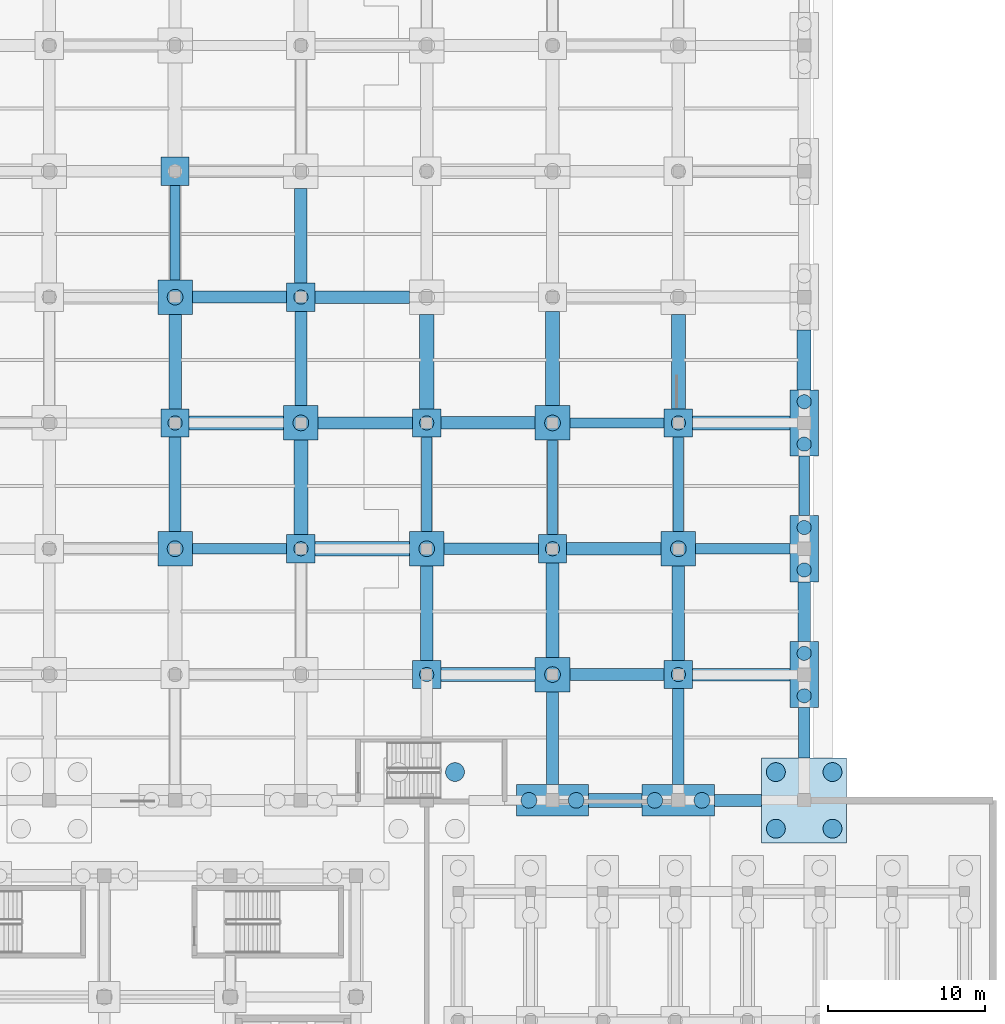
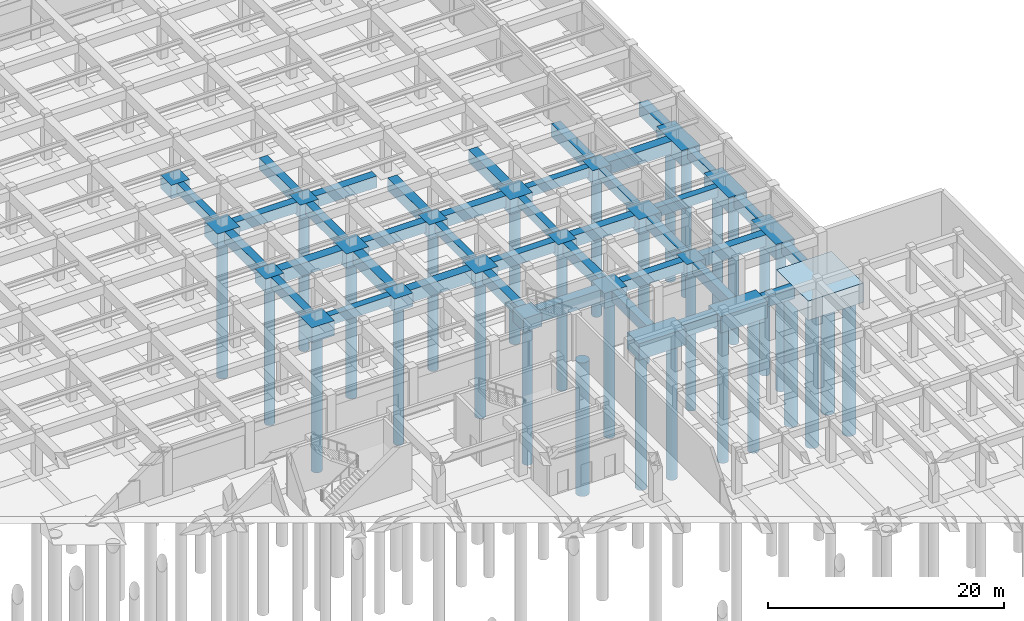
# One storey, part 14 of 48: 60 footings, 30 piles.
"""IFC4 building model written with IfcOpenShell, lengths in metres."""

from ifc_helpers import new_model, si_unit, direction, frame, origin, origin_2d, place, context, subcontext, project, spatial, polyline, rectangle, circle, outline, extrude, material, layer, layer_set, material_profile, profile_set, type_object, element, save


model = new_model("IFC4")

# Units and contexts
model_context = context("Model", 3, precision=1e-05, world=origin(), true_north=direction((0.0, 1.0)))
body_context = subcontext(model_context, "Body", "Model", "MODEL_VIEW")
ifc_project = project(units=[si_unit("LENGTHUNIT", "METRE"), si_unit("AREAUNIT", "SQUARE_METRE"), si_unit("VOLUMEUNIT", "CUBIC_METRE"), si_unit("PLANEANGLEUNIT", "RADIAN"), si_unit("MASSUNIT", "GRAM", prefix="KILO")], contexts=[model_context])

# Site, building, storey
site_placement = place(None, origin())
site = spatial("IfcSite", under=ifc_project, at=site_placement, CompositionType="ELEMENT")
building_placement = place(site_placement, origin())
building = spatial("IfcBuilding", under=site, at=building_placement, Name="Tlacozan Convention Centre", CompositionType="ELEMENT")
storey_placement = place(building_placement, frame((0.0, 0.0, -4.800048828125)))
storey = spatial("IfcBuildingStorey", under=building, at=storey_placement, Name="B01", CompositionType="ELEMENT", Elevation=-4.800048828125)

# Footings
ifc_material = material(Name="Concrete C35/45", Category="concrete")
ifc_layer_1 = layer(ifc_material, 1.0)
ifc_layer_set_1 = layer_set([ifc_layer_1], Name="Concrete C35/45")
footing_type_1 = type_object("IfcFootingType", Name="Foundation Tie Beam 650x1000", PredefinedType="FOOTING_BEAM", material=ifc_layer_set_1)
footing_1_placement = place(storey_placement, frame((0.0, 0.0, -1.0)))
element("IfcFooting", 1, at=footing_1_placement, inside=storey, type_object=footing_type_1, Name="Foundation Tie Beam X-185", PredefinedType="FOOTING_BEAM", context=body_context, shape_type="SweptSolid", body=[
    extrude(outline(polyline([(129.10009765625, 77.675048828125), (135.10009765625, 77.675048828125), (135.10009765625, 78.324951171875), (129.10009765625, 78.324951171875), (129.10009765625, 77.675048828125)])), origin(), (0.0, 0.0, 1.0), 1.0),
])
footing_2_placement = place(storey_placement, frame((0.0, 0.0, -1.0)))
element("IfcFooting", 2, at=footing_2_placement, inside=storey, type_object=footing_type_1, Name="Foundation Tie Beam X-189", PredefinedType="FOOTING_BEAM", context=body_context, shape_type="SweptSolid", body=[
    extrude(outline(polyline([(161.10009765625, 77.675048828125), (167.10009765625, 77.675048828125), (167.10009765625, 78.324951171875), (161.10009765625, 78.324951171875), (161.10009765625, 77.675048828125)])), origin(), (0.0, 0.0, 1.0), 1.0),
])
footing_3_placement = place(storey_placement, frame((0.0, 0.0, -1.0)))
element("IfcFooting", 3, at=footing_3_placement, inside=storey, type_object=footing_type_1, Name="Foundation Tie Beam X-209", PredefinedType="FOOTING_BEAM", context=body_context, shape_type="SweptSolid", body=[
    extrude(outline(polyline([(153.10009765625, 85.675048828125), (159.10009765625, 85.675048828125), (159.10009765625, 86.324951171875), (153.10009765625, 86.324951171875), (153.10009765625, 85.675048828125)])), origin(), (0.0, 0.0, 1.0), 1.0),
])
footing_4_placement = place(storey_placement, frame((0.0, 0.0, -1.0)))
element("IfcFooting", 4, at=footing_4_placement, inside=storey, type_object=footing_type_1, Name="Foundation Tie Beam Y-521", PredefinedType="FOOTING_BEAM", context=body_context, shape_type="SweptSolid", body=[
    extrude(outline(polyline([(127.675048828125, 95.10009765625), (128.324951171875, 95.10009765625), (128.324951171875, 101.10009765625), (127.675048828125, 101.10009765625), (127.675048828125, 95.10009765625)])), origin(), (0.0, 0.0, 1.0), 1.0),
])
footing_5_placement = place(storey_placement, frame((0.0, 0.0, -1.0)))
element("IfcFooting", 5, at=footing_5_placement, inside=storey, type_object=footing_type_1, Name="Foundation Tie Beam Y-541", PredefinedType="FOOTING_BEAM", context=body_context, shape_type="SweptSolid", body=[
    extrude(outline(polyline([(143.675048828125, 79.10009765625), (144.324951171875, 79.10009765625), (144.324951171875, 85.10009765625), (143.675048828125, 85.10009765625), (143.675048828125, 79.10009765625)])), origin(), (0.0, 0.0, 1.0), 1.0),
])
footing_6_placement = place(storey_placement, frame((0.0, 0.0, -1.0)))
element("IfcFooting", 6, at=footing_6_placement, inside=storey, type_object=footing_type_1, Name="Foundation Tie Beam Y-557", PredefinedType="FOOTING_BEAM", context=body_context, shape_type="SweptSolid", body=[
    extrude(outline(polyline([(151.675048828125, 78.89990234375), (152.324951171875, 78.89990234375), (152.324951171875, 84.89990234375), (151.675048828125, 84.89990234375), (151.675048828125, 78.89990234375)])), origin(), (0.0, 0.0, 1.0), 1.0),
])
footing_7_placement = place(storey_placement, frame((0.0, 0.0, -1.0)))
element("IfcFooting", 7, at=footing_7_placement, inside=storey, type_object=footing_type_1, Name="Foundation Tie Beam Y-573", PredefinedType="FOOTING_BEAM", context=body_context, shape_type="SweptSolid", body=[
    extrude(outline(polyline([(159.675048828125, 79.10009765625), (160.324951171875, 79.10009765625), (160.324951171875, 85.10009765625), (159.675048828125, 85.10009765625), (159.675048828125, 79.10009765625)])), origin(), (0.0, 0.0, 1.0), 1.0),
])
footing_8_placement = place(storey_placement, frame((0.0, 0.0, -1.0)))
element("IfcFooting", 8, at=footing_8_placement, inside=storey, type_object=footing_type_1, Name="Foundation Tie Beam Y-585", PredefinedType="FOOTING_BEAM", context=body_context, shape_type="SweptSolid", body=[
    extrude(outline(polyline([(167.675048828125, 80.10009765625), (168.324951171875, 80.10009765625), (168.324951171875, 83.89990234375), (167.675048828125, 83.89990234375), (167.675048828125, 80.10009765625)])), origin(), (0.0, 0.0, 1.0), 1.0),
])
ifc_layer_2 = layer(ifc_material, 1.10009765625)
ifc_layer_set_2 = layer_set([ifc_layer_2], Name="Concrete C35/45")
footing_type_2 = type_object("IfcFootingType", Name="Foundation Tie Beam 750x1100", PredefinedType="FOOTING_BEAM", material=ifc_layer_set_2)
footing_9_placement = place(storey_placement, frame((0.0, 0.0, -1.099853515625)))
element("IfcFooting", 9, at=footing_9_placement, inside=storey, type_object=footing_type_2, Name="Foundation Tie Beam X-147", PredefinedType="FOOTING_BEAM", context=body_context, shape_type="SweptSolid", body=[
    extrude(outline(polyline([(162.300048828125, 61.625), (165.300048828125, 61.625), (165.300048828125, 62.375), (162.300048828125, 62.375), (162.300048828125, 61.625)])), origin(), (0.0, 0.0, 1.0), 1.099853515625),
])
footing_10_placement = place(storey_placement, frame((0.0, 0.0, -1.099853515625)))
element("IfcFooting", 10, at=footing_10_placement, inside=storey, type_object=footing_type_2, Name="Foundation Tie Beam X-167", PredefinedType="FOOTING_BEAM", context=body_context, shape_type="SweptSolid", body=[
    extrude(outline(polyline([(153.10009765625, 69.625), (159.10009765625, 69.625), (159.10009765625, 70.375), (153.10009765625, 70.375), (153.10009765625, 69.625)])), origin(), (0.0, 0.0, 1.0), 1.099853515625),
])
footing_11_placement = place(storey_placement, frame((0.0, 0.0, -1.099853515625)))
element("IfcFooting", 11, at=footing_11_placement, inside=storey, type_object=footing_type_2, Name="Foundation Tie Beam X-187", PredefinedType="FOOTING_BEAM", context=body_context, shape_type="SweptSolid", body=[
    extrude(outline(polyline([(145.10009765625, 77.625), (151.10009765625, 77.625), (151.10009765625, 78.375), (145.10009765625, 78.375), (145.10009765625, 77.625)])), origin(), (0.0, 0.0, 1.0), 1.099853515625),
])
footing_12_placement = place(storey_placement, frame((0.0, 0.0, -1.099853515625)))
element("IfcFooting", 12, at=footing_12_placement, inside=storey, type_object=footing_type_2, Name="Foundation Tie Beam X-207", PredefinedType="FOOTING_BEAM", context=body_context, shape_type="SweptSolid", body=[
    extrude(outline(polyline([(137.10009765625, 85.625), (143.10009765625, 85.625), (143.10009765625, 86.375), (137.10009765625, 86.375), (137.10009765625, 85.625)])), origin(), (0.0, 0.0, 1.0), 1.099853515625),
])
footing_13_placement = place(storey_placement, frame((0.0, 0.0, -1.099853515625)))
element("IfcFooting", 13, at=footing_13_placement, inside=storey, type_object=footing_type_2, Name="Foundation Tie Beam X-227", PredefinedType="FOOTING_BEAM", context=body_context, shape_type="SweptSolid", body=[
    extrude(outline(polyline([(129.10009765625, 93.625), (135.10009765625, 93.625), (135.10009765625, 94.375), (129.10009765625, 94.375), (129.10009765625, 93.625)])), origin(), (0.0, 0.0, 1.0), 1.099853515625),
])
footing_14_placement = place(storey_placement, frame((0.0, 0.0, -1.099853515625)))
element("IfcFooting", 14, at=footing_14_placement, inside=storey, type_object=footing_type_2, Name="Foundation Tie Beam Y-519", PredefinedType="FOOTING_BEAM", context=body_context, shape_type="SweptSolid", body=[
    extrude(outline(polyline([(127.625, 79.10009765625), (128.375, 79.10009765625), (128.375, 85.10009765625), (127.625, 85.10009765625), (127.625, 79.10009765625)])), origin(), (0.0, 0.0, 1.0), 1.099853515625),
])
footing_15_placement = place(storey_placement, frame((0.0, 0.0, -1.099853515625)))
element("IfcFooting", 15, at=footing_15_placement, inside=storey, type_object=footing_type_2, Name="Foundation Tie Beam Y-531", PredefinedType="FOOTING_BEAM", context=body_context, shape_type="SweptSolid", body=[
    extrude(outline(polyline([(135.625, 87.10009765625), (136.375, 87.10009765625), (136.375, 93.10009765625), (135.625, 93.10009765625), (135.625, 87.10009765625)])), origin(), (0.0, 0.0, 1.0), 1.099853515625),
])
footing_16_placement = place(storey_placement, frame((0.0, 0.0, -1.099853515625)))
element("IfcFooting", 16, at=footing_16_placement, inside=storey, type_object=footing_type_2, Name="Foundation Tie Beam Y-555", PredefinedType="FOOTING_BEAM", context=body_context, shape_type="SweptSolid", body=[
    extrude(outline(polyline([(151.625, 63.0), (152.375, 63.0), (152.375, 68.89990234375), (151.625, 68.89990234375), (151.625, 63.0)])), origin(), (0.0, 0.0, 1.0), 1.099853515625),
])
footing_17_placement = place(storey_placement, frame((0.0, 0.0, -1.099853515625)))
element("IfcFooting", 17, at=footing_17_placement, inside=storey, type_object=footing_type_2, Name="Foundation Tie Beam Y-571", PredefinedType="FOOTING_BEAM", context=body_context, shape_type="SweptSolid", body=[
    extrude(outline(polyline([(159.625, 63.0), (160.375, 63.0), (160.375, 69.10009765625), (159.625, 69.10009765625), (159.625, 63.0)])), origin(), (0.0, 0.0, 1.0), 1.099853515625),
])
footing_18_placement = place(storey_placement, frame((0.0, 0.0, -1.099853515625)))
element("IfcFooting", 18, at=footing_18_placement, inside=storey, type_object=footing_type_2, Name="Foundation Tie Beam Y-583", PredefinedType="FOOTING_BEAM", context=body_context, shape_type="SweptSolid", body=[
    extrude(outline(polyline([(167.625, 64.699951171875), (168.375, 64.699951171875), (168.375, 67.89990234375), (167.625, 67.89990234375), (167.625, 64.699951171875)])), origin(), (0.0, 0.0, 1.0), 1.099853515625),
])
ifc_layer_3 = layer(ifc_material, 1.199951171875)
ifc_layer_set_3 = layer_set([ifc_layer_3], Name="Concrete C35/45")
footing_type_3 = type_object("IfcFootingType", Name="Foundation Tie Beam 800x1200", PredefinedType="FOOTING_BEAM", material=ifc_layer_set_3)
footing_19_placement = place(storey_placement, frame((0.0, 0.0, -1.199951171875)))
element("IfcFooting", 19, at=footing_19_placement, inside=storey, type_object=footing_type_3, Name="Foundation Tie Beam X-168", PredefinedType="FOOTING_BEAM", context=body_context, shape_type="SweptSolid", body=[
    extrude(outline(polyline([(160.89990234375, 69.60009765625), (167.10009765625, 69.60009765625), (167.10009765625, 70.39990234375), (160.89990234375, 70.39990234375), (160.89990234375, 69.60009765625)])), origin(), (0.0, 0.0, 1.0), 1.199951171875),
])
footing_20_placement = place(storey_placement, frame((0.0, 0.0, -1.199951171875)))
element("IfcFooting", 20, at=footing_20_placement, inside=storey, type_object=footing_type_3, Name="Foundation Tie Beam X-188", PredefinedType="FOOTING_BEAM", context=body_context, shape_type="SweptSolid", body=[
    extrude(outline(polyline([(152.89990234375, 77.60009765625), (158.89990234375, 77.60009765625), (158.89990234375, 78.39990234375), (152.89990234375, 78.39990234375), (152.89990234375, 77.60009765625)])), origin(), (0.0, 0.0, 1.0), 1.199951171875),
])
footing_21_placement = place(storey_placement, frame((0.0, 0.0, -1.199951171875)))
element("IfcFooting", 21, at=footing_21_placement, inside=storey, type_object=footing_type_3, Name="Foundation Tie Beam X-208", PredefinedType="FOOTING_BEAM", context=body_context, shape_type="SweptSolid", body=[
    extrude(outline(polyline([(144.89990234375, 85.60009765625), (150.89990234375, 85.60009765625), (150.89990234375, 86.39990234375), (144.89990234375, 86.39990234375), (144.89990234375, 85.60009765625)])), origin(), (0.0, 0.0, 1.0), 1.199951171875),
])
footing_22_placement = place(storey_placement, frame((0.0, 0.0, -1.199951171875)))
element("IfcFooting", 22, at=footing_22_placement, inside=storey, type_object=footing_type_3, Name="Foundation Tie Beam X-228", PredefinedType="FOOTING_BEAM", context=body_context, shape_type="SweptSolid", body=[
    extrude(outline(polyline([(136.89990234375, 93.60009765625), (142.89990234375, 93.60009765625), (142.89990234375, 94.39990234375), (136.89990234375, 94.39990234375), (136.89990234375, 93.60009765625)])), origin(), (0.0, 0.0, 1.0), 1.199951171875),
])
footing_23_placement = place(storey_placement, frame((0.0, 0.0, -1.199951171875)))
element("IfcFooting", 23, at=footing_23_placement, inside=storey, type_object=footing_type_3, Name="Foundation Tie Beam Y-520", PredefinedType="FOOTING_BEAM", context=body_context, shape_type="SweptSolid", body=[
    extrude(outline(polyline([(127.60009765625, 86.89990234375), (128.39990234375, 86.89990234375), (128.39990234375, 92.89990234375), (127.60009765625, 92.89990234375), (127.60009765625, 86.89990234375)])), origin(), (0.0, 0.0, 1.0), 1.199951171875),
])
footing_24_placement = place(storey_placement, frame((0.0, 0.0, -1.199951171875)))
element("IfcFooting", 24, at=footing_24_placement, inside=storey, type_object=footing_type_3, Name="Foundation Tie Beam Y-532", PredefinedType="FOOTING_BEAM", context=body_context, shape_type="SweptSolid", body=[
    extrude(outline(polyline([(135.60009765625, 94.89990234375), (136.39990234375, 94.89990234375), (136.39990234375, 100.89990234375), (135.60009765625, 100.89990234375), (135.60009765625, 94.89990234375)])), origin(), (0.0, 0.0, 1.0), 1.199951171875),
])
footing_25_placement = place(storey_placement, frame((0.0, 0.0, -1.199951171875)))
element("IfcFooting", 25, at=footing_25_placement, inside=storey, type_object=footing_type_3, Name="Foundation Tie Beam Y-540", PredefinedType="FOOTING_BEAM", context=body_context, shape_type="SweptSolid", body=[
    extrude(outline(polyline([(143.60009765625, 70.89990234375), (144.39990234375, 70.89990234375), (144.39990234375, 76.89990234375), (143.60009765625, 76.89990234375), (143.60009765625, 70.89990234375)])), origin(), (0.0, 0.0, 1.0), 1.199951171875),
])
footing_26_placement = place(storey_placement, frame((0.0, 0.0, -1.199951171875)))
element("IfcFooting", 26, at=footing_26_placement, inside=storey, type_object=footing_type_3, Name="Foundation Tie Beam Y-556", PredefinedType="FOOTING_BEAM", context=body_context, shape_type="SweptSolid", body=[
    extrude(outline(polyline([(151.60009765625, 71.10009765625), (152.39990234375, 71.10009765625), (152.39990234375, 77.10009765625), (151.60009765625, 77.10009765625), (151.60009765625, 71.10009765625)])), origin(), (0.0, 0.0, 1.0), 1.199951171875),
])
footing_27_placement = place(storey_placement, frame((0.0, 0.0, -1.199951171875)))
element("IfcFooting", 27, at=footing_27_placement, inside=storey, type_object=footing_type_3, Name="Foundation Tie Beam Y-572", PredefinedType="FOOTING_BEAM", context=body_context, shape_type="SweptSolid", body=[
    extrude(outline(polyline([(159.60009765625, 70.89990234375), (160.39990234375, 70.89990234375), (160.39990234375, 76.89990234375), (159.60009765625, 76.89990234375), (159.60009765625, 70.89990234375)])), origin(), (0.0, 0.0, 1.0), 1.199951171875),
])
footing_28_placement = place(storey_placement, frame((0.0, 0.0, -1.199951171875)))
element("IfcFooting", 28, at=footing_28_placement, inside=storey, type_object=footing_type_3, Name="Foundation Tie Beam Y-584", PredefinedType="FOOTING_BEAM", context=body_context, shape_type="SweptSolid", body=[
    extrude(outline(polyline([(167.60009765625, 72.10009765625), (168.39990234375, 72.10009765625), (168.39990234375, 75.89990234375), (167.60009765625, 75.89990234375), (167.60009765625, 72.10009765625)])), origin(), (0.0, 0.0, 1.0), 1.199951171875),
])
ifc_layer_4 = layer(ifc_material, 1.300048828125)
ifc_layer_set_4 = layer_set([ifc_layer_4], Name="Concrete C35/45")
footing_type_4 = type_object("IfcFootingType", Name="Foundation Tie Beam 900x1300", PredefinedType="FOOTING_BEAM", material=ifc_layer_set_4)
footing_29_placement = place(storey_placement, frame((0.0, 0.0, -1.300048828125)))
element("IfcFooting", 29, at=footing_29_placement, inside=storey, type_object=footing_type_4, Name="Foundation Tie Beam X-146", PredefinedType="FOOTING_BEAM", context=body_context, shape_type="SweptSolid", body=[
    extrude(outline(polyline([(154.300048828125, 61.550048828125), (157.699951171875, 61.550048828125), (157.699951171875, 62.449951171875), (154.300048828125, 62.449951171875), (154.300048828125, 61.550048828125)])), origin(), (0.0, 0.0, 1.0), 1.300048828125),
])
footing_30_placement = place(storey_placement, frame((0.0, 0.0, -1.300048828125)))
element("IfcFooting", 30, at=footing_30_placement, inside=storey, type_object=footing_type_4, Name="Foundation Tie Beam X-166", PredefinedType="FOOTING_BEAM", context=body_context, shape_type="SweptSolid", body=[
    extrude(outline(polyline([(144.89990234375, 69.550048828125), (150.89990234375, 69.550048828125), (150.89990234375, 70.449951171875), (144.89990234375, 70.449951171875), (144.89990234375, 69.550048828125)])), origin(), (0.0, 0.0, 1.0), 1.300048828125),
])
footing_31_placement = place(storey_placement, frame((0.0, 0.0, -1.300048828125)))
element("IfcFooting", 31, at=footing_31_placement, inside=storey, type_object=footing_type_4, Name="Foundation Tie Beam X-186", PredefinedType="FOOTING_BEAM", context=body_context, shape_type="SweptSolid", body=[
    extrude(outline(polyline([(136.89990234375, 77.550048828125), (142.89990234375, 77.550048828125), (142.89990234375, 78.449951171875), (136.89990234375, 78.449951171875), (136.89990234375, 77.550048828125)])), origin(), (0.0, 0.0, 1.0), 1.300048828125),
])
footing_32_placement = place(storey_placement, frame((0.0, 0.0, -1.300048828125)))
element("IfcFooting", 32, at=footing_32_placement, inside=storey, type_object=footing_type_4, Name="Foundation Tie Beam X-206", PredefinedType="FOOTING_BEAM", context=body_context, shape_type="SweptSolid", body=[
    extrude(outline(polyline([(128.89990234375, 85.550048828125), (134.89990234375, 85.550048828125), (134.89990234375, 86.449951171875), (128.89990234375, 86.449951171875), (128.89990234375, 85.550048828125)])), origin(), (0.0, 0.0, 1.0), 1.300048828125),
])
footing_33_placement = place(storey_placement, frame((0.0, 0.0, -1.300048828125)))
element("IfcFooting", 33, at=footing_33_placement, inside=storey, type_object=footing_type_4, Name="Foundation Tie Beam X-210", PredefinedType="FOOTING_BEAM", context=body_context, shape_type="SweptSolid", body=[
    extrude(outline(polyline([(160.89990234375, 85.550048828125), (167.10009765625, 85.550048828125), (167.10009765625, 86.449951171875), (160.89990234375, 86.449951171875), (160.89990234375, 85.550048828125)])), origin(), (0.0, 0.0, 1.0), 1.300048828125),
])
footing_34_placement = place(storey_placement, frame((0.0, 0.0, -1.300048828125)))
element("IfcFooting", 34, at=footing_34_placement, inside=storey, type_object=footing_type_4, Name="Foundation Tie Beam Y-530", PredefinedType="FOOTING_BEAM", context=body_context, shape_type="SweptSolid", body=[
    extrude(outline(polyline([(135.550048828125, 78.89990234375), (136.449951171875, 78.89990234375), (136.449951171875, 84.89990234375), (135.550048828125, 84.89990234375), (135.550048828125, 78.89990234375)])), origin(), (0.0, 0.0, 1.0), 1.300048828125),
])
footing_35_placement = place(storey_placement, frame((0.0, 0.0, -1.300048828125)))
element("IfcFooting", 35, at=footing_35_placement, inside=storey, type_object=footing_type_4, Name="Foundation Tie Beam Y-542", PredefinedType="FOOTING_BEAM", context=body_context, shape_type="SweptSolid", body=[
    extrude(outline(polyline([(143.550048828125, 86.89990234375), (144.449951171875, 86.89990234375), (144.449951171875, 92.89990234375), (143.550048828125, 92.89990234375), (143.550048828125, 86.89990234375)])), origin(), (0.0, 0.0, 1.0), 1.300048828125),
])
footing_36_placement = place(storey_placement, frame((0.0, 0.0, -1.300048828125)))
element("IfcFooting", 36, at=footing_36_placement, inside=storey, type_object=footing_type_4, Name="Foundation Tie Beam Y-558", PredefinedType="FOOTING_BEAM", context=body_context, shape_type="SweptSolid", body=[
    extrude(outline(polyline([(151.550048828125, 87.10009765625), (152.449951171875, 87.10009765625), (152.449951171875, 93.10009765625), (151.550048828125, 93.10009765625), (151.550048828125, 87.10009765625)])), origin(), (0.0, 0.0, 1.0), 1.300048828125),
])
footing_37_placement = place(storey_placement, frame((0.0, 0.0, -1.300048828125)))
element("IfcFooting", 37, at=footing_37_placement, inside=storey, type_object=footing_type_4, Name="Foundation Tie Beam Y-574", PredefinedType="FOOTING_BEAM", context=body_context, shape_type="SweptSolid", body=[
    extrude(outline(polyline([(159.550048828125, 86.89990234375), (160.449951171875, 86.89990234375), (160.449951171875, 92.89990234375), (159.550048828125, 92.89990234375), (159.550048828125, 86.89990234375)])), origin(), (0.0, 0.0, 1.0), 1.300048828125),
])
footing_38_placement = place(storey_placement, frame((0.0, 0.0, -1.300048828125)))
element("IfcFooting", 38, at=footing_38_placement, inside=storey, type_object=footing_type_4, Name="Foundation Tie Beam Y-586", PredefinedType="FOOTING_BEAM", context=body_context, shape_type="SweptSolid", body=[
    extrude(outline(polyline([(167.550048828125, 88.10009765625), (168.449951171875, 88.10009765625), (168.449951171875, 91.89990234375), (167.550048828125, 91.89990234375), (167.550048828125, 88.10009765625)])), origin(), (0.0, 0.0, 1.0), 1.300048828125),
])
ifc_layer_5 = layer(ifc_material, 1.39990234375)
ifc_layer_set_5 = layer_set([ifc_layer_5], Name="Concrete C35/45")
footing_type_5 = type_object("IfcFootingType", Name="Pile Cap 1P 1800x1800x1400", PredefinedType="PILE_CAP", material=ifc_layer_set_5)
for number, where, z_axis, x_axis, name in (
    (39, (128.0, 86.0, -1.39990234375), (0.0, 0.0, 1.0), (1.0, 0.0, 0.0), "Pile Cap PC-01 (243)"),
    (40, (128.0, 102.0, -1.39990234375), (0.0, 0.0, 1.0), (1.0, 0.0, 0.0), "Pile Cap PC-01 (245)"),
    (41, (136.0, 78.0, -1.39990234375), (0.0, 0.0, 1.0), (1.0, 0.0, 0.0), "Pile Cap PC-01 (255)"),
    (42, (136.0, 94.0, -1.39990234375), (0.0, 0.0, 1.0), (1.0, 0.0, 0.0), "Pile Cap PC-01 (257)"),
    (43, (144.0, 70.0, -1.39990234375), (0.0, 0.0, 1.0), (1.0, 0.0, 0.0), "Pile Cap PC-01 (267)"),
    (44, (144.0, 86.0, -1.39990234375), (0.0, 0.0, 1.0), (1.0, 0.0, 0.0), "Pile Cap PC-01 (269)"),
    (45, (152.0, 78.0, -1.39990234375), (0.0, 0.0, 1.0), (1.0, 0.0, 0.0), "Pile Cap PC-01 (287)"),
    (46, (160.0, 70.0, -1.39990234375), (0.0, 0.0, 1.0), (1.0, 0.0, 0.0), "Pile Cap PC-01 (305)"),
    (47, (160.0, 86.0, -1.39990234375), (0.0, 0.0, 1.0), (1.0, 0.0, 0.0), "Pile Cap PC-01 (307)"),
):
    element("IfcFooting", number, at=place(storey_placement, frame(where, z_axis=z_axis, x_axis=x_axis)), inside=storey, type_object=footing_type_5, Name=name, PredefinedType="PILE_CAP", context=body_context, shape_type="SweptSolid", body=[
        extrude(rectangle(XDim=1.800048828125, YDim=1.800048828125, at=origin_2d()), origin(), (0.0, 0.0, 1.0), 1.39990234375),
    ])
ifc_layer_6 = layer(ifc_material, 1.550048828125)
ifc_layer_set_6 = layer_set([ifc_layer_6], Name="Concrete C35/45")
footing_type_6 = type_object("IfcFootingType", Name="Pile Cap 1P 2200x2200x1550", PredefinedType="PILE_CAP", material=ifc_layer_set_6)
for number, where, z_axis, x_axis, name in (
    (48, (128.0, 78.0, -1.5498046875), (0.0, 0.0, 1.0), (1.0, 0.0, 0.0), "Pile Cap PC-09 (242)"),
    (49, (128.0, 94.0, -1.5498046875), (0.0, 0.0, 1.0), (1.0, 0.0, 0.0), "Pile Cap PC-09 (244)"),
    (50, (136.0, 86.0, -1.5498046875), (0.0, 0.0, 1.0), (1.0, 0.0, 0.0), "Pile Cap PC-09 (256)"),
    (51, (144.0, 78.0, -1.5498046875), (0.0, 0.0, 1.0), (1.0, 0.0, 0.0), "Pile Cap PC-09 (268)"),
    (52, (152.0, 70.0, -1.5498046875), (0.0, 0.0, 1.0), (1.0, 0.0, 0.0), "Pile Cap PC-09 (286)"),
    (53, (152.0, 86.0, -1.5498046875), (0.0, 0.0, 1.0), (1.0, 0.0, 0.0), "Pile Cap PC-09 (288)"),
    (54, (160.0, 78.0, -1.5498046875), (0.0, 0.0, 1.0), (1.0, 0.0, 0.0), "Pile Cap PC-09 (306)"),
):
    element("IfcFooting", number, at=place(storey_placement, frame(where, z_axis=z_axis, x_axis=x_axis)), inside=storey, type_object=footing_type_6, Name=name, PredefinedType="PILE_CAP", context=body_context, shape_type="SweptSolid", body=[
        extrude(rectangle(XDim=2.199951171875, YDim=2.199951171875, at=origin_2d()), origin(), (0.0, 0.0, 1.0), 1.550048828125),
    ])
ifc_layer_7 = layer(ifc_material, 1.60009765625)
ifc_layer_set_7 = layer_set([ifc_layer_7], Name="Concrete C35/45")
footing_type_7 = type_object("IfcFootingType", Name="Pile Cap 2P 1800x4200x1600", PredefinedType="PILE_CAP", material=ifc_layer_set_7)
for number, where, z_axis, x_axis, name in (
    (55, (168.0, 70.0, -1.60009765625), (0.0, 0.0, 1.0), (1.0, 0.0, 0.0), "Pile Cap PC-04 (319)"),
    (56, (168.0, 78.0, -1.60009765625), (0.0, 0.0, 1.0), (1.0, 0.0, 0.0), "Pile Cap PC-04 (320)"),
    (57, (168.0, 86.0, -1.60009765625), (0.0, 0.0, 1.0), (1.0, 0.0, 0.0), "Pile Cap PC-04 (321)"),
):
    element("IfcFooting", number, at=place(storey_placement, frame(where, z_axis=z_axis, x_axis=x_axis)), inside=storey, type_object=footing_type_7, Name=name, PredefinedType="PILE_CAP", context=body_context, shape_type="SweptSolid", body=[
        extrude(rectangle(XDim=1.800048828125, YDim=4.199951171875, at=origin_2d()), origin(), (0.0, 0.0, 1.0), 1.60009765625),
    ])
ifc_layer_8 = layer(ifc_material, 1.699951171875)
ifc_layer_set_8 = layer_set([ifc_layer_8], Name="Concrete C35/45")
footing_type_8 = type_object("IfcFootingType", Name="Pile Cap 2P 4600x2000x1700", PredefinedType="PILE_CAP", material=ifc_layer_set_8)
for number, where, z_axis, x_axis, name in (
    (58, (152.0, 62.0, -1.69970703125), (0.0, 0.0, 1.0), (1.0, 0.0, 0.0), "Pile Cap PC-05 (285)"),
    (59, (160.0, 62.0, -1.69970703125), (0.0, 0.0, 1.0), (1.0, 0.0, 0.0), "Pile Cap PC-05 (304)"),
):
    element("IfcFooting", number, at=place(storey_placement, frame(where, z_axis=z_axis, x_axis=x_axis)), inside=storey, type_object=footing_type_8, Name=name, PredefinedType="PILE_CAP", context=body_context, shape_type="SweptSolid", body=[
        extrude(rectangle(XDim=4.60009765625, YDim=2.0, at=origin_2d()), origin(), (0.0, 0.0, 1.0), 1.699951171875),
    ])
ifc_layer_9 = layer(ifc_material, 2.0)
ifc_layer_set_9 = layer_set([ifc_layer_9], Name="Concrete C35/45")
footing_type_9 = type_object("IfcFootingType", Name="Pile Cap 4P 5400x5400x2000", PredefinedType="PILE_CAP", material=ifc_layer_set_9)
footing_39_placement = place(storey_placement, frame((168.0, 62.0, -2.0), z_axis=(0.0, 0.0, 1.0), x_axis=(1.0, 0.0, 0.0)))
element("IfcFooting", 60, at=footing_39_placement, inside=storey, type_object=footing_type_9, Name="Pile Cap PC-08 (318)", PredefinedType="PILE_CAP", context=body_context, shape_type="SweptSolid", body=[
    extrude(rectangle(XDim=5.39990234375, YDim=5.39990234375, at=origin_2d()), origin(), (0.0, 0.0, 1.0), 2.0),
])

# Piles
ifc_material_profile_1 = material_profile(ifc_material, circle(Radius=0.5, at=origin_2d()), Name="PILE D1000")
ifc_profile_set_1 = profile_set([ifc_material_profile_1], Name="Concrete C35/45")
pile_type_1 = type_object("IfcPileType", Name="Pile D1000 Bored", PredefinedType="BORED", material=ifc_profile_set_1)
for number, where, z_axis, x_axis, name in (
    (61, (128.0, 78.0, -1.429931640625), (0.0, 0.0, -1.0), (1.0, 0.0, 0.0), "Bored Pile 464"),
    (62, (128.0, 94.0, -1.429931640625), (0.0, 0.0, -1.0), (1.0, 0.0, 0.0), "Bored Pile 466"),
    (63, (136.0, 86.0, -1.429931640625), (0.0, 0.0, -1.0), (1.0, 0.0, 0.0), "Bored Pile 482"),
    (64, (144.0, 78.0, -1.429931640625), (0.0, 0.0, -1.0), (1.0, 0.0, 0.0), "Bored Pile 500"),
):
    element("IfcPile", number, at=place(storey_placement, frame(where, z_axis=z_axis, x_axis=x_axis)), inside=storey, type_object=pile_type_1, Name=name, PredefinedType="BORED", context=body_context, shape_type="SweptSolid", body=[
        extrude(circle(Radius=0.5, at=origin_2d()), origin(), (0.0, 0.0, 1.0), 14.27001953125),
    ])
for number, where, z_axis, x_axis, name in (
    (65, (150.5, 62.0, -1.579833984375), (0.0, 0.0, -1.0), (1.0, 0.0, 0.0), "Bored Pile 524"),
    (66, (153.5, 62.0, -1.579833984375), (0.0, 0.0, -1.0), (1.0, 0.0, 0.0), "Bored Pile 525"),
):
    element("IfcPile", number, at=place(storey_placement, frame(where, z_axis=z_axis, x_axis=x_axis)), inside=storey, type_object=pile_type_1, Name=name, PredefinedType="BORED", context=body_context, shape_type="SweptSolid", body=[
        extrude(circle(Radius=0.5, at=origin_2d()), origin(), (0.0, 0.0, 1.0), 14.1201171875),
    ])
for number, where, z_axis, x_axis, name in (
    (67, (152.0, 70.0, -1.429931640625), (0.0, 0.0, -1.0), (1.0, 0.0, 0.0), "Bored Pile 526"),
    (68, (152.0, 86.0, -1.429931640625), (0.0, 0.0, -1.0), (1.0, 0.0, 0.0), "Bored Pile 528"),
):
    element("IfcPile", number, at=place(storey_placement, frame(where, z_axis=z_axis, x_axis=x_axis)), inside=storey, type_object=pile_type_1, Name=name, PredefinedType="BORED", context=body_context, shape_type="SweptSolid", body=[
        extrude(circle(Radius=0.5, at=origin_2d()), origin(), (0.0, 0.0, 1.0), 14.27001953125),
    ])
for number, where, z_axis, x_axis, name in (
    (69, (158.5, 62.0, -1.579833984375), (0.0, 0.0, -1.0), (1.0, 0.0, 0.0), "Bored Pile 549"),
    (70, (161.5, 62.0, -1.579833984375), (0.0, 0.0, -1.0), (1.0, 0.0, 0.0), "Bored Pile 550"),
):
    element("IfcPile", number, at=place(storey_placement, frame(where, z_axis=z_axis, x_axis=x_axis)), inside=storey, type_object=pile_type_1, Name=name, PredefinedType="BORED", context=body_context, shape_type="SweptSolid", body=[
        extrude(circle(Radius=0.5, at=origin_2d()), origin(), (0.0, 0.0, 1.0), 14.1201171875),
    ])
pile_placement = place(storey_placement, frame((160.0, 78.0, -1.429931640625), z_axis=(0.0, 0.0, -1.0), x_axis=(1.0, 0.0, 0.0)))
element("IfcPile", 71, at=pile_placement, inside=storey, type_object=pile_type_1, Name="Bored Pile 552", PredefinedType="BORED", context=body_context, shape_type="SweptSolid", body=[
    extrude(circle(Radius=0.5, at=origin_2d()), origin(), (0.0, 0.0, 1.0), 14.27001953125),
])
ifc_material_profile_2 = material_profile(ifc_material, circle(Radius=0.60009765625, at=origin_2d()), Name="PILE D1200")
ifc_profile_set_2 = profile_set([ifc_material_profile_2], Name="Concrete C35/45")
pile_type_2 = type_object("IfcPileType", Name="Pile D1200 Bored", PredefinedType="BORED", material=ifc_profile_set_2)
for number, where, z_axis, x_axis, name in (
    (72, (145.800048828125, 63.800048828125, -1.8798828125), (0.0, 0.0, -1.0), (1.0, 0.0, 0.0), "Bored Pile 498"),
    (73, (166.199951171875, 60.199951171875, -1.8798828125), (0.0, 0.0, -1.0), (1.0, 0.0, 0.0), "Bored Pile 567"),
    (74, (169.800048828125, 60.199951171875, -1.8798828125), (0.0, 0.0, -1.0), (1.0, 0.0, 0.0), "Bored Pile 568"),
    (75, (166.199951171875, 63.800048828125, -1.8798828125), (0.0, 0.0, -1.0), (1.0, 0.0, 0.0), "Bored Pile 569"),
    (76, (169.800048828125, 63.800048828125, -1.8798828125), (0.0, 0.0, -1.0), (1.0, 0.0, 0.0), "Bored Pile 570"),
):
    element("IfcPile", number, at=place(storey_placement, frame(where, z_axis=z_axis, x_axis=x_axis)), inside=storey, type_object=pile_type_2, Name=name, PredefinedType="BORED", context=body_context, shape_type="SweptSolid", body=[
        extrude(circle(Radius=0.60009765625, at=origin_2d()), origin(), (0.0, 0.0, 1.0), 13.820068359375),
    ])
ifc_material_profile_3 = material_profile(ifc_material, circle(Radius=0.449951171875, at=origin_2d()), Name="PILE D900")
ifc_profile_set_3 = profile_set([ifc_material_profile_3], Name="Concrete C35/45")
pile_type_3 = type_object("IfcPileType", Name="Pile D900 Bored", PredefinedType="BORED", material=ifc_profile_set_3)
for number, where, z_axis, x_axis, name in (
    (77, (128.0, 86.0, -1.280029296875), (0.0, 0.0, -1.0), (1.0, 0.0, 0.0), "Bored Pile 465"),
    (78, (136.0, 78.0, -1.280029296875), (0.0, 0.0, -1.0), (1.0, 0.0, 0.0), "Bored Pile 481"),
    (79, (136.0, 94.0, -1.280029296875), (0.0, 0.0, -1.0), (1.0, 0.0, 0.0), "Bored Pile 483"),
    (80, (144.0, 70.0, -1.280029296875), (0.0, 0.0, -1.0), (1.0, 0.0, 0.0), "Bored Pile 499"),
    (81, (144.0, 86.0, -1.280029296875), (0.0, 0.0, -1.0), (1.0, 0.0, 0.0), "Bored Pile 501"),
    (82, (152.0, 78.0, -1.280029296875), (0.0, 0.0, -1.0), (1.0, 0.0, 0.0), "Bored Pile 527"),
    (83, (160.0, 70.0, -1.280029296875), (0.0, 0.0, -1.0), (1.0, 0.0, 0.0), "Bored Pile 551"),
    (84, (160.0, 86.0, -1.280029296875), (0.0, 0.0, -1.0), (1.0, 0.0, 0.0), "Bored Pile 553"),
):
    element("IfcPile", number, at=place(storey_placement, frame(where, z_axis=z_axis, x_axis=x_axis)), inside=storey, type_object=pile_type_3, Name=name, PredefinedType="BORED", context=body_context, shape_type="SweptSolid", body=[
        extrude(circle(Radius=0.449951171875, at=origin_2d()), origin(), (0.0, 0.0, 1.0), 14.419921875),
    ])
for number, where, z_axis, x_axis, name in (
    (85, (168.0, 68.64990234375, -1.47998046875), (0.0, 0.0, -1.0), (1.0, 0.0, 0.0), "Bored Pile 571"),
    (86, (168.0, 71.35009765625, -1.47998046875), (0.0, 0.0, -1.0), (1.0, 0.0, 0.0), "Bored Pile 572"),
    (87, (168.0, 76.64990234375, -1.47998046875), (0.0, 0.0, -1.0), (1.0, 0.0, 0.0), "Bored Pile 573"),
    (88, (168.0, 79.35009765625, -1.47998046875), (0.0, 0.0, -1.0), (1.0, 0.0, 0.0), "Bored Pile 574"),
    (89, (168.0, 84.64990234375, -1.47998046875), (0.0, 0.0, -1.0), (1.0, 0.0, 0.0), "Bored Pile 575"),
    (90, (168.0, 87.35009765625, -1.47998046875), (0.0, 0.0, -1.0), (1.0, 0.0, 0.0), "Bored Pile 576"),
):
    element("IfcPile", number, at=place(storey_placement, frame(where, z_axis=z_axis, x_axis=x_axis)), inside=storey, type_object=pile_type_3, Name=name, PredefinedType="BORED", context=body_context, shape_type="SweptSolid", body=[
        extrude(circle(Radius=0.449951171875, at=origin_2d()), origin(), (0.0, 0.0, 1.0), 14.219970703125),
    ])

save(model, "model.ifc")
